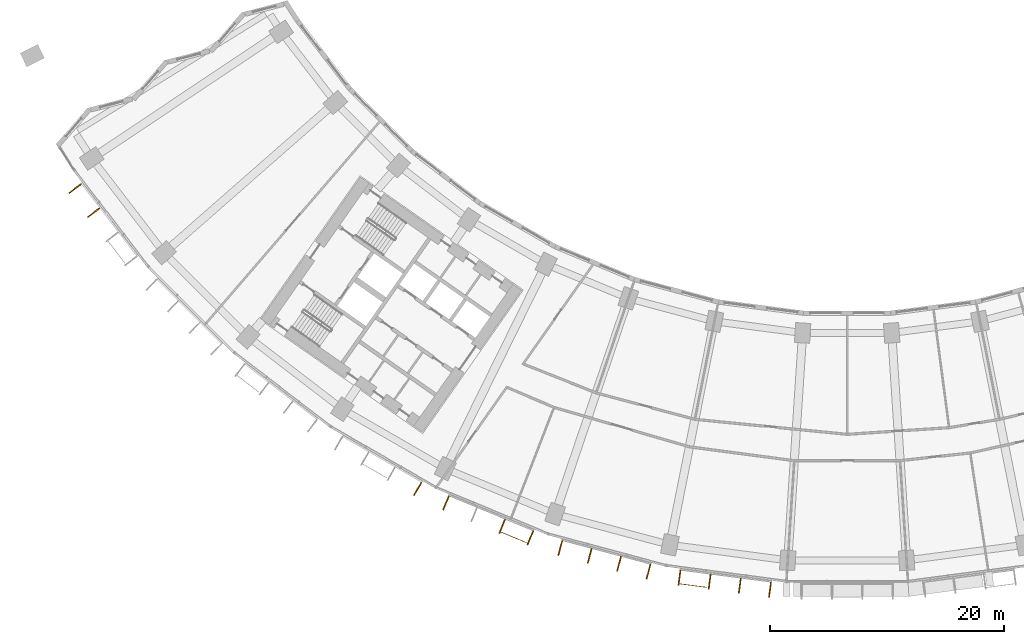
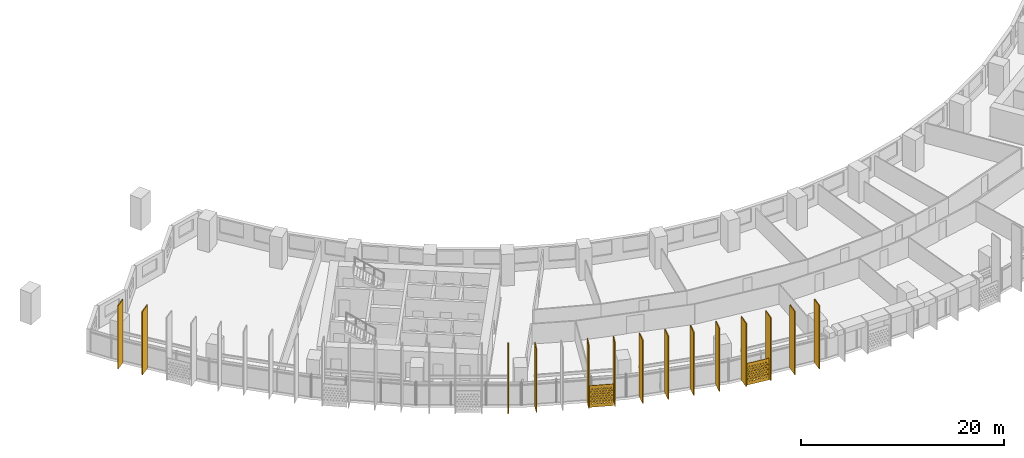
# One storey, part 27 of 32: 16 shading devices.
"""IFC4 building model written with IfcOpenShell, lengths in metres."""

from ifc_helpers import new_model, si_unit, direction, frame, origin, origin_2d, place, context, subcontext, project, spatial, polyline, rectangle, outline, extrude, material, material_profile, profile_set, type_object, element, save


model = new_model("IFC4")

# Units and contexts
model_context = context("Model", 3, precision=1e-05, world=origin(), true_north=direction((0.0, 1.0)))
body_context = subcontext(model_context, "Body", "Model", "MODEL_VIEW")
ifc_project = project(units=[si_unit("LENGTHUNIT", "METRE"), si_unit("AREAUNIT", "SQUARE_METRE"), si_unit("VOLUMEUNIT", "CUBIC_METRE"), si_unit("PLANEANGLEUNIT", "RADIAN"), si_unit("MASSUNIT", "GRAM", prefix="KILO")], contexts=[model_context])

# Site, building, storey
site_placement = place(None, origin())
site = spatial("IfcSite", under=ifc_project, at=site_placement, CompositionType="ELEMENT")
building_placement = place(site_placement, origin())
building = spatial("IfcBuilding", under=site, at=building_placement, Name="Qamariyya Broadcast Tower", CompositionType="ELEMENT")
storey_placement = place(building_placement, frame((0.0, 0.0, 63.300048828125)))
storey = spatial("IfcBuildingStorey", under=building, at=storey_placement, Name="L12", CompositionType="ELEMENT", Elevation=63.300048828125)

# Shading devices
ifc_material_1 = material(Name="Perforated glazed terracotta", Category="masonry")
ifc_material_profile_1 = material_profile(ifc_material_1, outline(polyline([(-1.199951171875, -1.300048828125), (1.199951171875, -1.300048828125), (1.199951171875, 1.300048828125), (-1.199951171875, 1.300048828125), (-1.199951171875, -1.300048828125)]), holes=[polyline([(-0.81494140625, -0.86669921875), (-0.89990234375, -0.78173828125), (-0.985107421875, -0.86669921875), (-0.89990234375, -0.95166015625), (-0.81494140625, -0.86669921875)]), polyline([(-0.514892578125, -0.86669921875), (-0.60009765625, -0.78173828125), (-0.68505859375, -0.86669921875), (-0.60009765625, -0.95166015625), (-0.514892578125, -0.86669921875)]), polyline([(-0.215087890625, -0.86669921875), (-0.300048828125, -0.78173828125), (-0.385009765625, -0.86669921875), (-0.300048828125, -0.95166015625), (-0.215087890625, -0.86669921875)]), polyline([(0.0849609375, -0.86669921875), (0.0, -0.78173828125), (-0.0849609375, -0.86669921875), (0.0, -0.95166015625), (0.0849609375, -0.86669921875)]), polyline([(0.385009765625, -0.86669921875), (0.300048828125, -0.78173828125), (0.215087890625, -0.86669921875), (0.300048828125, -0.95166015625), (0.385009765625, -0.86669921875)]), polyline([(0.68505859375, -0.86669921875), (0.60009765625, -0.78173828125), (0.514892578125, -0.86669921875), (0.60009765625, -0.95166015625), (0.68505859375, -0.86669921875)]), polyline([(0.985107421875, -0.86669921875), (0.89990234375, -0.78173828125), (0.81494140625, -0.86669921875), (0.89990234375, -0.95166015625), (0.985107421875, -0.86669921875)]), polyline([(-0.965087890625, -0.577880859375), (-1.050048828125, -0.49267578125), (-1.135009765625, -0.577880859375), (-1.050048828125, -0.662841796875), (-0.965087890625, -0.577880859375)]), polyline([(-0.6650390625, -0.577880859375), (-0.75, -0.49267578125), (-0.8349609375, -0.577880859375), (-0.75, -0.662841796875), (-0.6650390625, -0.577880859375)]), polyline([(-0.364990234375, -0.577880859375), (-0.449951171875, -0.49267578125), (-0.534912109375, -0.577880859375), (-0.449951171875, -0.662841796875), (-0.364990234375, -0.577880859375)]), polyline([(-0.06494140625, -0.577880859375), (-0.14990234375, -0.49267578125), (-0.235107421875, -0.577880859375), (-0.14990234375, -0.662841796875), (-0.06494140625, -0.577880859375)]), polyline([(0.235107421875, -0.577880859375), (0.14990234375, -0.49267578125), (0.06494140625, -0.577880859375), (0.14990234375, -0.662841796875), (0.235107421875, -0.577880859375)]), polyline([(0.534912109375, -0.577880859375), (0.449951171875, -0.49267578125), (0.364990234375, -0.577880859375), (0.449951171875, -0.662841796875), (0.534912109375, -0.577880859375)]), polyline([(0.8349609375, -0.577880859375), (0.75, -0.49267578125), (0.6650390625, -0.577880859375), (0.75, -0.662841796875), (0.8349609375, -0.577880859375)]), polyline([(1.135009765625, -0.577880859375), (1.050048828125, -0.49267578125), (0.965087890625, -0.577880859375), (1.050048828125, -0.662841796875), (1.135009765625, -0.577880859375)]), polyline([(-0.81494140625, -0.288818359375), (-0.89990234375, -0.203857421875), (-0.985107421875, -0.288818359375), (-0.89990234375, -0.373779296875), (-0.81494140625, -0.288818359375)]), polyline([(-0.514892578125, -0.288818359375), (-0.60009765625, -0.203857421875), (-0.68505859375, -0.288818359375), (-0.60009765625, -0.373779296875), (-0.514892578125, -0.288818359375)]), polyline([(-0.215087890625, -0.288818359375), (-0.300048828125, -0.203857421875), (-0.385009765625, -0.288818359375), (-0.300048828125, -0.373779296875), (-0.215087890625, -0.288818359375)]), polyline([(0.0849609375, -0.288818359375), (0.0, -0.203857421875), (-0.0849609375, -0.288818359375), (0.0, -0.373779296875), (0.0849609375, -0.288818359375)]), polyline([(0.385009765625, -0.288818359375), (0.300048828125, -0.203857421875), (0.215087890625, -0.288818359375), (0.300048828125, -0.373779296875), (0.385009765625, -0.288818359375)]), polyline([(0.68505859375, -0.288818359375), (0.60009765625, -0.203857421875), (0.514892578125, -0.288818359375), (0.60009765625, -0.373779296875), (0.68505859375, -0.288818359375)]), polyline([(0.985107421875, -0.288818359375), (0.89990234375, -0.203857421875), (0.81494140625, -0.288818359375), (0.89990234375, -0.373779296875), (0.985107421875, -0.288818359375)]), polyline([(-0.965087890625, 0.0), (-1.050048828125, 0.0849609375), (-1.135009765625, 0.0), (-1.050048828125, -0.0849609375), (-0.965087890625, 0.0)]), polyline([(-0.6650390625, 0.0), (-0.75, 0.0849609375), (-0.8349609375, 0.0), (-0.75, -0.0849609375), (-0.6650390625, 0.0)]), polyline([(-0.364990234375, 0.0), (-0.449951171875, 0.0849609375), (-0.534912109375, 0.0), (-0.449951171875, -0.0849609375), (-0.364990234375, 0.0)]), polyline([(-0.06494140625, 0.0), (-0.14990234375, 0.0849609375), (-0.235107421875, 0.0), (-0.14990234375, -0.0849609375), (-0.06494140625, 0.0)]), polyline([(0.235107421875, 0.0), (0.14990234375, 0.0849609375), (0.06494140625, 0.0), (0.14990234375, -0.0849609375), (0.235107421875, 0.0)]), polyline([(0.534912109375, 0.0), (0.449951171875, 0.0849609375), (0.364990234375, 0.0), (0.449951171875, -0.0849609375), (0.534912109375, 0.0)]), polyline([(0.8349609375, 0.0), (0.75, 0.0849609375), (0.6650390625, 0.0), (0.75, -0.0849609375), (0.8349609375, 0.0)]), polyline([(1.135009765625, 0.0), (1.050048828125, 0.0849609375), (0.965087890625, 0.0), (1.050048828125, -0.0849609375), (1.135009765625, 0.0)]), polyline([(-0.81494140625, 0.288818359375), (-0.89990234375, 0.373779296875), (-0.985107421875, 0.288818359375), (-0.89990234375, 0.203857421875), (-0.81494140625, 0.288818359375)]), polyline([(-0.514892578125, 0.288818359375), (-0.60009765625, 0.373779296875), (-0.68505859375, 0.288818359375), (-0.60009765625, 0.203857421875), (-0.514892578125, 0.288818359375)]), polyline([(-0.215087890625, 0.288818359375), (-0.300048828125, 0.373779296875), (-0.385009765625, 0.288818359375), (-0.300048828125, 0.203857421875), (-0.215087890625, 0.288818359375)]), polyline([(0.0849609375, 0.288818359375), (0.0, 0.373779296875), (-0.0849609375, 0.288818359375), (0.0, 0.203857421875), (0.0849609375, 0.288818359375)]), polyline([(0.385009765625, 0.288818359375), (0.300048828125, 0.373779296875), (0.215087890625, 0.288818359375), (0.300048828125, 0.203857421875), (0.385009765625, 0.288818359375)]), polyline([(0.68505859375, 0.288818359375), (0.60009765625, 0.373779296875), (0.514892578125, 0.288818359375), (0.60009765625, 0.203857421875), (0.68505859375, 0.288818359375)]), polyline([(0.985107421875, 0.288818359375), (0.89990234375, 0.373779296875), (0.81494140625, 0.288818359375), (0.89990234375, 0.203857421875), (0.985107421875, 0.288818359375)]), polyline([(-0.965087890625, 0.577880859375), (-1.050048828125, 0.662841796875), (-1.135009765625, 0.577880859375), (-1.050048828125, 0.49267578125), (-0.965087890625, 0.577880859375)]), polyline([(-0.6650390625, 0.577880859375), (-0.75, 0.662841796875), (-0.8349609375, 0.577880859375), (-0.75, 0.49267578125), (-0.6650390625, 0.577880859375)]), polyline([(-0.364990234375, 0.577880859375), (-0.449951171875, 0.662841796875), (-0.534912109375, 0.577880859375), (-0.449951171875, 0.49267578125), (-0.364990234375, 0.577880859375)]), polyline([(-0.06494140625, 0.577880859375), (-0.14990234375, 0.662841796875), (-0.235107421875, 0.577880859375), (-0.14990234375, 0.49267578125), (-0.06494140625, 0.577880859375)]), polyline([(0.235107421875, 0.577880859375), (0.14990234375, 0.662841796875), (0.06494140625, 0.577880859375), (0.14990234375, 0.49267578125), (0.235107421875, 0.577880859375)]), polyline([(0.534912109375, 0.577880859375), (0.449951171875, 0.662841796875), (0.364990234375, 0.577880859375), (0.449951171875, 0.49267578125), (0.534912109375, 0.577880859375)]), polyline([(0.8349609375, 0.577880859375), (0.75, 0.662841796875), (0.6650390625, 0.577880859375), (0.75, 0.49267578125), (0.8349609375, 0.577880859375)]), polyline([(1.135009765625, 0.577880859375), (1.050048828125, 0.662841796875), (0.965087890625, 0.577880859375), (1.050048828125, 0.49267578125), (1.135009765625, 0.577880859375)]), polyline([(-0.81494140625, 0.86669921875), (-0.89990234375, 0.95166015625), (-0.985107421875, 0.86669921875), (-0.89990234375, 0.78173828125), (-0.81494140625, 0.86669921875)]), polyline([(-0.514892578125, 0.86669921875), (-0.60009765625, 0.95166015625), (-0.68505859375, 0.86669921875), (-0.60009765625, 0.78173828125), (-0.514892578125, 0.86669921875)]), polyline([(-0.215087890625, 0.86669921875), (-0.300048828125, 0.95166015625), (-0.385009765625, 0.86669921875), (-0.300048828125, 0.78173828125), (-0.215087890625, 0.86669921875)]), polyline([(0.0849609375, 0.86669921875), (0.0, 0.95166015625), (-0.0849609375, 0.86669921875), (0.0, 0.78173828125), (0.0849609375, 0.86669921875)]), polyline([(0.385009765625, 0.86669921875), (0.300048828125, 0.95166015625), (0.215087890625, 0.86669921875), (0.300048828125, 0.78173828125), (0.385009765625, 0.86669921875)]), polyline([(0.68505859375, 0.86669921875), (0.60009765625, 0.95166015625), (0.514892578125, 0.86669921875), (0.60009765625, 0.78173828125), (0.68505859375, 0.86669921875)]), polyline([(0.985107421875, 0.86669921875), (0.89990234375, 0.95166015625), (0.81494140625, 0.86669921875), (0.89990234375, 0.78173828125), (0.985107421875, 0.86669921875)])]))
ifc_profile_set_1 = profile_set([ifc_material_profile_1], Name="Perforated glazed terracotta")
shading_device_type_1 = type_object("IfcShadingDeviceType", Name="Perforated terracotta screen 2400 x 2600", PredefinedType="USERDEFINED", material=ifc_profile_set_1)
shading_device_1_placement = place(storey_placement, frame((-28.54345703125, -75.57958984375, 1.349853515625), z_axis=(-0.382591441855, -0.923917630863, 0.0), x_axis=(0.923917630863, -0.382591441855, 0.0)))
element("IfcShadingDevice", 1, at=shading_device_1_placement, inside=storey, type_object=shading_device_type_1, Name="e-scr-L12-05-2", ObjectType="SCREEN", PredefinedType="USERDEFINED", context=body_context, shape_type="SweptSolid", body=[
    extrude(outline(polyline([(-1.199951171875, -1.300048828125), (1.199951171875, -1.300048828125), (1.199951171875, 1.300048828125), (-1.199951171875, 1.300048828125), (-1.199951171875, -1.300048828125)]), holes=[polyline([(-0.81494140625, -0.86669921875), (-0.89990234375, -0.78173828125), (-0.985107421875, -0.86669921875), (-0.89990234375, -0.95166015625), (-0.81494140625, -0.86669921875)]), polyline([(-0.514892578125, -0.86669921875), (-0.60009765625, -0.78173828125), (-0.68505859375, -0.86669921875), (-0.60009765625, -0.95166015625), (-0.514892578125, -0.86669921875)]), polyline([(-0.215087890625, -0.86669921875), (-0.300048828125, -0.78173828125), (-0.385009765625, -0.86669921875), (-0.300048828125, -0.95166015625), (-0.215087890625, -0.86669921875)]), polyline([(0.0849609375, -0.86669921875), (0.0, -0.78173828125), (-0.0849609375, -0.86669921875), (0.0, -0.95166015625), (0.0849609375, -0.86669921875)]), polyline([(0.385009765625, -0.86669921875), (0.300048828125, -0.78173828125), (0.215087890625, -0.86669921875), (0.300048828125, -0.95166015625), (0.385009765625, -0.86669921875)]), polyline([(0.68505859375, -0.86669921875), (0.60009765625, -0.78173828125), (0.514892578125, -0.86669921875), (0.60009765625, -0.95166015625), (0.68505859375, -0.86669921875)]), polyline([(0.985107421875, -0.86669921875), (0.89990234375, -0.78173828125), (0.81494140625, -0.86669921875), (0.89990234375, -0.95166015625), (0.985107421875, -0.86669921875)]), polyline([(-0.965087890625, -0.577880859375), (-1.050048828125, -0.49267578125), (-1.135009765625, -0.577880859375), (-1.050048828125, -0.662841796875), (-0.965087890625, -0.577880859375)]), polyline([(-0.6650390625, -0.577880859375), (-0.75, -0.49267578125), (-0.8349609375, -0.577880859375), (-0.75, -0.662841796875), (-0.6650390625, -0.577880859375)]), polyline([(-0.364990234375, -0.577880859375), (-0.449951171875, -0.49267578125), (-0.534912109375, -0.577880859375), (-0.449951171875, -0.662841796875), (-0.364990234375, -0.577880859375)]), polyline([(-0.06494140625, -0.577880859375), (-0.14990234375, -0.49267578125), (-0.235107421875, -0.577880859375), (-0.14990234375, -0.662841796875), (-0.06494140625, -0.577880859375)]), polyline([(0.235107421875, -0.577880859375), (0.14990234375, -0.49267578125), (0.06494140625, -0.577880859375), (0.14990234375, -0.662841796875), (0.235107421875, -0.577880859375)]), polyline([(0.534912109375, -0.577880859375), (0.449951171875, -0.49267578125), (0.364990234375, -0.577880859375), (0.449951171875, -0.662841796875), (0.534912109375, -0.577880859375)]), polyline([(0.8349609375, -0.577880859375), (0.75, -0.49267578125), (0.6650390625, -0.577880859375), (0.75, -0.662841796875), (0.8349609375, -0.577880859375)]), polyline([(1.135009765625, -0.577880859375), (1.050048828125, -0.49267578125), (0.965087890625, -0.577880859375), (1.050048828125, -0.662841796875), (1.135009765625, -0.577880859375)]), polyline([(-0.81494140625, -0.288818359375), (-0.89990234375, -0.203857421875), (-0.985107421875, -0.288818359375), (-0.89990234375, -0.373779296875), (-0.81494140625, -0.288818359375)]), polyline([(-0.514892578125, -0.288818359375), (-0.60009765625, -0.203857421875), (-0.68505859375, -0.288818359375), (-0.60009765625, -0.373779296875), (-0.514892578125, -0.288818359375)]), polyline([(-0.215087890625, -0.288818359375), (-0.300048828125, -0.203857421875), (-0.385009765625, -0.288818359375), (-0.300048828125, -0.373779296875), (-0.215087890625, -0.288818359375)]), polyline([(0.0849609375, -0.288818359375), (0.0, -0.203857421875), (-0.0849609375, -0.288818359375), (0.0, -0.373779296875), (0.0849609375, -0.288818359375)]), polyline([(0.385009765625, -0.288818359375), (0.300048828125, -0.203857421875), (0.215087890625, -0.288818359375), (0.300048828125, -0.373779296875), (0.385009765625, -0.288818359375)]), polyline([(0.68505859375, -0.288818359375), (0.60009765625, -0.203857421875), (0.514892578125, -0.288818359375), (0.60009765625, -0.373779296875), (0.68505859375, -0.288818359375)]), polyline([(0.985107421875, -0.288818359375), (0.89990234375, -0.203857421875), (0.81494140625, -0.288818359375), (0.89990234375, -0.373779296875), (0.985107421875, -0.288818359375)]), polyline([(-0.965087890625, 0.0), (-1.050048828125, 0.0849609375), (-1.135009765625, 0.0), (-1.050048828125, -0.0849609375), (-0.965087890625, 0.0)]), polyline([(-0.6650390625, 0.0), (-0.75, 0.0849609375), (-0.8349609375, 0.0), (-0.75, -0.0849609375), (-0.6650390625, 0.0)]), polyline([(-0.364990234375, 0.0), (-0.449951171875, 0.0849609375), (-0.534912109375, 0.0), (-0.449951171875, -0.0849609375), (-0.364990234375, 0.0)]), polyline([(-0.06494140625, 0.0), (-0.14990234375, 0.0849609375), (-0.235107421875, 0.0), (-0.14990234375, -0.0849609375), (-0.06494140625, 0.0)]), polyline([(0.235107421875, 0.0), (0.14990234375, 0.0849609375), (0.06494140625, 0.0), (0.14990234375, -0.0849609375), (0.235107421875, 0.0)]), polyline([(0.534912109375, 0.0), (0.449951171875, 0.0849609375), (0.364990234375, 0.0), (0.449951171875, -0.0849609375), (0.534912109375, 0.0)]), polyline([(0.8349609375, 0.0), (0.75, 0.0849609375), (0.6650390625, 0.0), (0.75, -0.0849609375), (0.8349609375, 0.0)]), polyline([(1.135009765625, 0.0), (1.050048828125, 0.0849609375), (0.965087890625, 0.0), (1.050048828125, -0.0849609375), (1.135009765625, 0.0)]), polyline([(-0.81494140625, 0.288818359375), (-0.89990234375, 0.373779296875), (-0.985107421875, 0.288818359375), (-0.89990234375, 0.203857421875), (-0.81494140625, 0.288818359375)]), polyline([(-0.514892578125, 0.288818359375), (-0.60009765625, 0.373779296875), (-0.68505859375, 0.288818359375), (-0.60009765625, 0.203857421875), (-0.514892578125, 0.288818359375)]), polyline([(-0.215087890625, 0.288818359375), (-0.300048828125, 0.373779296875), (-0.385009765625, 0.288818359375), (-0.300048828125, 0.203857421875), (-0.215087890625, 0.288818359375)]), polyline([(0.0849609375, 0.288818359375), (0.0, 0.373779296875), (-0.0849609375, 0.288818359375), (0.0, 0.203857421875), (0.0849609375, 0.288818359375)]), polyline([(0.385009765625, 0.288818359375), (0.300048828125, 0.373779296875), (0.215087890625, 0.288818359375), (0.300048828125, 0.203857421875), (0.385009765625, 0.288818359375)]), polyline([(0.68505859375, 0.288818359375), (0.60009765625, 0.373779296875), (0.514892578125, 0.288818359375), (0.60009765625, 0.203857421875), (0.68505859375, 0.288818359375)]), polyline([(0.985107421875, 0.288818359375), (0.89990234375, 0.373779296875), (0.81494140625, 0.288818359375), (0.89990234375, 0.203857421875), (0.985107421875, 0.288818359375)]), polyline([(-0.965087890625, 0.577880859375), (-1.050048828125, 0.662841796875), (-1.135009765625, 0.577880859375), (-1.050048828125, 0.49267578125), (-0.965087890625, 0.577880859375)]), polyline([(-0.6650390625, 0.577880859375), (-0.75, 0.662841796875), (-0.8349609375, 0.577880859375), (-0.75, 0.49267578125), (-0.6650390625, 0.577880859375)]), polyline([(-0.364990234375, 0.577880859375), (-0.449951171875, 0.662841796875), (-0.534912109375, 0.577880859375), (-0.449951171875, 0.49267578125), (-0.364990234375, 0.577880859375)]), polyline([(-0.06494140625, 0.577880859375), (-0.14990234375, 0.662841796875), (-0.235107421875, 0.577880859375), (-0.14990234375, 0.49267578125), (-0.06494140625, 0.577880859375)]), polyline([(0.235107421875, 0.577880859375), (0.14990234375, 0.662841796875), (0.06494140625, 0.577880859375), (0.14990234375, 0.49267578125), (0.235107421875, 0.577880859375)]), polyline([(0.534912109375, 0.577880859375), (0.449951171875, 0.662841796875), (0.364990234375, 0.577880859375), (0.449951171875, 0.49267578125), (0.534912109375, 0.577880859375)]), polyline([(0.8349609375, 0.577880859375), (0.75, 0.662841796875), (0.6650390625, 0.577880859375), (0.75, 0.49267578125), (0.8349609375, 0.577880859375)]), polyline([(1.135009765625, 0.577880859375), (1.050048828125, 0.662841796875), (0.965087890625, 0.577880859375), (1.050048828125, 0.49267578125), (1.135009765625, 0.577880859375)]), polyline([(-0.81494140625, 0.86669921875), (-0.89990234375, 0.95166015625), (-0.985107421875, 0.86669921875), (-0.89990234375, 0.78173828125), (-0.81494140625, 0.86669921875)]), polyline([(-0.514892578125, 0.86669921875), (-0.60009765625, 0.95166015625), (-0.68505859375, 0.86669921875), (-0.60009765625, 0.78173828125), (-0.514892578125, 0.86669921875)]), polyline([(-0.215087890625, 0.86669921875), (-0.300048828125, 0.95166015625), (-0.385009765625, 0.86669921875), (-0.300048828125, 0.78173828125), (-0.215087890625, 0.86669921875)]), polyline([(0.0849609375, 0.86669921875), (0.0, 0.95166015625), (-0.0849609375, 0.86669921875), (0.0, 0.78173828125), (0.0849609375, 0.86669921875)]), polyline([(0.385009765625, 0.86669921875), (0.300048828125, 0.95166015625), (0.215087890625, 0.86669921875), (0.300048828125, 0.78173828125), (0.385009765625, 0.86669921875)]), polyline([(0.68505859375, 0.86669921875), (0.60009765625, 0.95166015625), (0.514892578125, 0.86669921875), (0.60009765625, 0.78173828125), (0.68505859375, 0.86669921875)]), polyline([(0.985107421875, 0.86669921875), (0.89990234375, 0.95166015625), (0.81494140625, 0.86669921875), (0.89990234375, 0.78173828125), (0.985107421875, 0.86669921875)])]), origin(), (0.0, 0.0, 1.0), 0.06005859375),
])
shading_device_2_placement = place(storey_placement, frame((-13.17431640625, -79.7119140625, 1.349853515625), z_axis=(-0.13056005306, -0.991440402921, 0.0), x_axis=(0.991440402921, -0.13056005306, 0.0)))
element("IfcShadingDevice", 2, at=shading_device_2_placement, inside=storey, type_object=shading_device_type_1, Name="e-scr-L12-07-0", ObjectType="SCREEN", PredefinedType="USERDEFINED", context=body_context, shape_type="SweptSolid", body=[
    extrude(outline(polyline([(-1.199951171875, -1.300048828125), (1.199951171875, -1.300048828125), (1.199951171875, 1.300048828125), (-1.199951171875, 1.300048828125), (-1.199951171875, -1.300048828125)]), holes=[polyline([(-0.81494140625, -0.86669921875), (-0.89990234375, -0.78173828125), (-0.985107421875, -0.86669921875), (-0.89990234375, -0.95166015625), (-0.81494140625, -0.86669921875)]), polyline([(-0.514892578125, -0.86669921875), (-0.60009765625, -0.78173828125), (-0.68505859375, -0.86669921875), (-0.60009765625, -0.95166015625), (-0.514892578125, -0.86669921875)]), polyline([(-0.215087890625, -0.86669921875), (-0.300048828125, -0.78173828125), (-0.385009765625, -0.86669921875), (-0.300048828125, -0.95166015625), (-0.215087890625, -0.86669921875)]), polyline([(0.0849609375, -0.86669921875), (0.0, -0.78173828125), (-0.0849609375, -0.86669921875), (0.0, -0.95166015625), (0.0849609375, -0.86669921875)]), polyline([(0.385009765625, -0.86669921875), (0.300048828125, -0.78173828125), (0.215087890625, -0.86669921875), (0.300048828125, -0.95166015625), (0.385009765625, -0.86669921875)]), polyline([(0.68505859375, -0.86669921875), (0.60009765625, -0.78173828125), (0.514892578125, -0.86669921875), (0.60009765625, -0.95166015625), (0.68505859375, -0.86669921875)]), polyline([(0.985107421875, -0.86669921875), (0.89990234375, -0.78173828125), (0.81494140625, -0.86669921875), (0.89990234375, -0.95166015625), (0.985107421875, -0.86669921875)]), polyline([(-0.965087890625, -0.577880859375), (-1.050048828125, -0.49267578125), (-1.135009765625, -0.577880859375), (-1.050048828125, -0.662841796875), (-0.965087890625, -0.577880859375)]), polyline([(-0.6650390625, -0.577880859375), (-0.75, -0.49267578125), (-0.8349609375, -0.577880859375), (-0.75, -0.662841796875), (-0.6650390625, -0.577880859375)]), polyline([(-0.364990234375, -0.577880859375), (-0.449951171875, -0.49267578125), (-0.534912109375, -0.577880859375), (-0.449951171875, -0.662841796875), (-0.364990234375, -0.577880859375)]), polyline([(-0.06494140625, -0.577880859375), (-0.14990234375, -0.49267578125), (-0.235107421875, -0.577880859375), (-0.14990234375, -0.662841796875), (-0.06494140625, -0.577880859375)]), polyline([(0.235107421875, -0.577880859375), (0.14990234375, -0.49267578125), (0.06494140625, -0.577880859375), (0.14990234375, -0.662841796875), (0.235107421875, -0.577880859375)]), polyline([(0.534912109375, -0.577880859375), (0.449951171875, -0.49267578125), (0.364990234375, -0.577880859375), (0.449951171875, -0.662841796875), (0.534912109375, -0.577880859375)]), polyline([(0.8349609375, -0.577880859375), (0.75, -0.49267578125), (0.6650390625, -0.577880859375), (0.75, -0.662841796875), (0.8349609375, -0.577880859375)]), polyline([(1.135009765625, -0.577880859375), (1.050048828125, -0.49267578125), (0.965087890625, -0.577880859375), (1.050048828125, -0.662841796875), (1.135009765625, -0.577880859375)]), polyline([(-0.81494140625, -0.288818359375), (-0.89990234375, -0.203857421875), (-0.985107421875, -0.288818359375), (-0.89990234375, -0.373779296875), (-0.81494140625, -0.288818359375)]), polyline([(-0.514892578125, -0.288818359375), (-0.60009765625, -0.203857421875), (-0.68505859375, -0.288818359375), (-0.60009765625, -0.373779296875), (-0.514892578125, -0.288818359375)]), polyline([(-0.215087890625, -0.288818359375), (-0.300048828125, -0.203857421875), (-0.385009765625, -0.288818359375), (-0.300048828125, -0.373779296875), (-0.215087890625, -0.288818359375)]), polyline([(0.0849609375, -0.288818359375), (0.0, -0.203857421875), (-0.0849609375, -0.288818359375), (0.0, -0.373779296875), (0.0849609375, -0.288818359375)]), polyline([(0.385009765625, -0.288818359375), (0.300048828125, -0.203857421875), (0.215087890625, -0.288818359375), (0.300048828125, -0.373779296875), (0.385009765625, -0.288818359375)]), polyline([(0.68505859375, -0.288818359375), (0.60009765625, -0.203857421875), (0.514892578125, -0.288818359375), (0.60009765625, -0.373779296875), (0.68505859375, -0.288818359375)]), polyline([(0.985107421875, -0.288818359375), (0.89990234375, -0.203857421875), (0.81494140625, -0.288818359375), (0.89990234375, -0.373779296875), (0.985107421875, -0.288818359375)]), polyline([(-0.965087890625, 0.0), (-1.050048828125, 0.0849609375), (-1.135009765625, 0.0), (-1.050048828125, -0.0849609375), (-0.965087890625, 0.0)]), polyline([(-0.6650390625, 0.0), (-0.75, 0.0849609375), (-0.8349609375, 0.0), (-0.75, -0.0849609375), (-0.6650390625, 0.0)]), polyline([(-0.364990234375, 0.0), (-0.449951171875, 0.0849609375), (-0.534912109375, 0.0), (-0.449951171875, -0.0849609375), (-0.364990234375, 0.0)]), polyline([(-0.06494140625, 0.0), (-0.14990234375, 0.0849609375), (-0.235107421875, 0.0), (-0.14990234375, -0.0849609375), (-0.06494140625, 0.0)]), polyline([(0.235107421875, 0.0), (0.14990234375, 0.0849609375), (0.06494140625, 0.0), (0.14990234375, -0.0849609375), (0.235107421875, 0.0)]), polyline([(0.534912109375, 0.0), (0.449951171875, 0.0849609375), (0.364990234375, 0.0), (0.449951171875, -0.0849609375), (0.534912109375, 0.0)]), polyline([(0.8349609375, 0.0), (0.75, 0.0849609375), (0.6650390625, 0.0), (0.75, -0.0849609375), (0.8349609375, 0.0)]), polyline([(1.135009765625, 0.0), (1.050048828125, 0.0849609375), (0.965087890625, 0.0), (1.050048828125, -0.0849609375), (1.135009765625, 0.0)]), polyline([(-0.81494140625, 0.288818359375), (-0.89990234375, 0.373779296875), (-0.985107421875, 0.288818359375), (-0.89990234375, 0.203857421875), (-0.81494140625, 0.288818359375)]), polyline([(-0.514892578125, 0.288818359375), (-0.60009765625, 0.373779296875), (-0.68505859375, 0.288818359375), (-0.60009765625, 0.203857421875), (-0.514892578125, 0.288818359375)]), polyline([(-0.215087890625, 0.288818359375), (-0.300048828125, 0.373779296875), (-0.385009765625, 0.288818359375), (-0.300048828125, 0.203857421875), (-0.215087890625, 0.288818359375)]), polyline([(0.0849609375, 0.288818359375), (0.0, 0.373779296875), (-0.0849609375, 0.288818359375), (0.0, 0.203857421875), (0.0849609375, 0.288818359375)]), polyline([(0.385009765625, 0.288818359375), (0.300048828125, 0.373779296875), (0.215087890625, 0.288818359375), (0.300048828125, 0.203857421875), (0.385009765625, 0.288818359375)]), polyline([(0.68505859375, 0.288818359375), (0.60009765625, 0.373779296875), (0.514892578125, 0.288818359375), (0.60009765625, 0.203857421875), (0.68505859375, 0.288818359375)]), polyline([(0.985107421875, 0.288818359375), (0.89990234375, 0.373779296875), (0.81494140625, 0.288818359375), (0.89990234375, 0.203857421875), (0.985107421875, 0.288818359375)]), polyline([(-0.965087890625, 0.577880859375), (-1.050048828125, 0.662841796875), (-1.135009765625, 0.577880859375), (-1.050048828125, 0.49267578125), (-0.965087890625, 0.577880859375)]), polyline([(-0.6650390625, 0.577880859375), (-0.75, 0.662841796875), (-0.8349609375, 0.577880859375), (-0.75, 0.49267578125), (-0.6650390625, 0.577880859375)]), polyline([(-0.364990234375, 0.577880859375), (-0.449951171875, 0.662841796875), (-0.534912109375, 0.577880859375), (-0.449951171875, 0.49267578125), (-0.364990234375, 0.577880859375)]), polyline([(-0.06494140625, 0.577880859375), (-0.14990234375, 0.662841796875), (-0.235107421875, 0.577880859375), (-0.14990234375, 0.49267578125), (-0.06494140625, 0.577880859375)]), polyline([(0.235107421875, 0.577880859375), (0.14990234375, 0.662841796875), (0.06494140625, 0.577880859375), (0.14990234375, 0.49267578125), (0.235107421875, 0.577880859375)]), polyline([(0.534912109375, 0.577880859375), (0.449951171875, 0.662841796875), (0.364990234375, 0.577880859375), (0.449951171875, 0.49267578125), (0.534912109375, 0.577880859375)]), polyline([(0.8349609375, 0.577880859375), (0.75, 0.662841796875), (0.6650390625, 0.577880859375), (0.75, 0.49267578125), (0.8349609375, 0.577880859375)]), polyline([(1.135009765625, 0.577880859375), (1.050048828125, 0.662841796875), (0.965087890625, 0.577880859375), (1.050048828125, 0.49267578125), (1.135009765625, 0.577880859375)]), polyline([(-0.81494140625, 0.86669921875), (-0.89990234375, 0.95166015625), (-0.985107421875, 0.86669921875), (-0.89990234375, 0.78173828125), (-0.81494140625, 0.86669921875)]), polyline([(-0.514892578125, 0.86669921875), (-0.60009765625, 0.95166015625), (-0.68505859375, 0.86669921875), (-0.60009765625, 0.78173828125), (-0.514892578125, 0.86669921875)]), polyline([(-0.215087890625, 0.86669921875), (-0.300048828125, 0.95166015625), (-0.385009765625, 0.86669921875), (-0.300048828125, 0.78173828125), (-0.215087890625, 0.86669921875)]), polyline([(0.0849609375, 0.86669921875), (0.0, 0.95166015625), (-0.0849609375, 0.86669921875), (0.0, 0.78173828125), (0.0849609375, 0.86669921875)]), polyline([(0.385009765625, 0.86669921875), (0.300048828125, 0.95166015625), (0.215087890625, 0.86669921875), (0.300048828125, 0.78173828125), (0.385009765625, 0.86669921875)]), polyline([(0.68505859375, 0.86669921875), (0.60009765625, 0.95166015625), (0.514892578125, 0.86669921875), (0.60009765625, 0.78173828125), (0.68505859375, 0.86669921875)]), polyline([(0.985107421875, 0.86669921875), (0.89990234375, 0.95166015625), (0.81494140625, 0.86669921875), (0.89990234375, 0.78173828125), (0.985107421875, 0.86669921875)])]), origin(), (0.0, 0.0, 1.0), 0.059814453125),
])
ifc_material_2 = material(Name="Glazed terracotta", Category="masonry")
ifc_material_profile_2 = material_profile(ifc_material_2, rectangle(XDim=1.300048828125, YDim=0.10009765625, at=origin_2d()))
ifc_profile_set_2 = profile_set([ifc_material_profile_2], Name="Glazed terracotta")
shading_device_type_2 = type_object("IfcShadingDeviceType", Name="Terracotta fin 100 x 1300", PredefinedType="USERDEFINED", material=ifc_profile_set_2)
for number, where, z_axis, x_axis, name in (
    (3, (-66.068359375, -45.771484375, 0.0), (0.0, 0.0, 1.0), (-0.793353340291, -0.608761429009, 0.0), "e-fin-L12-01-0"),
    (4, (-64.48291015625, -47.837890625, 0.0), (0.0, 0.0, 1.0), (-0.793353340291, -0.608761429009, 0.0), "e-fin-L12-01-1"),
    (5, (-36.756103515625, -71.4775390625, 0.0), (0.0, 0.0, 1.0), (-0.5, -0.866025403784, 0.0), "e-fin-L12-04-3"),
    (6, (-34.331298828125, -72.67333984375, 0.0), (0.0, 0.0, 1.0), (-0.382683432365, -0.923879532511, 0.0), "e-fin-L12-05-0"),
    (7, (-29.518310546875, -74.6669921875, 0.0), (0.0, 0.0, 1.0), (-0.382683432365, -0.923879532511, 0.0), "e-fin-L12-05-2"),
    (8, (-27.112060546875, -75.663818359375, 0.0), (0.0, 0.0, 1.0), (-0.382683432365, -0.923879532511, 0.0), "e-fin-L12-05-3"),
    (9, (-24.5517578125, -76.53271484375, 0.0), (0.0, 0.0, 1.0), (-0.258819045103, -0.965925826289, 0.0), "e-fin-L12-06-0"),
    (10, (-22.035888671875, -77.20703125, 0.0), (0.0, 0.0, 1.0), (-0.258819045103, -0.965925826289, 0.0), "e-fin-L12-06-1"),
    (11, (-19.519775390625, -77.881103515625, 0.0), (0.0, 0.0, 1.0), (-0.258819045103, -0.965925826289, 0.0), "e-fin-L12-06-2"),
    (12, (-17.00390625, -78.55517578125, 0.0), (0.0, 0.0, 1.0), (-0.258819045103, -0.965925826289, 0.0), "e-fin-L12-06-3"),
    (13, (-14.35205078125, -79.082763671875, 0.0), (0.0, 0.0, 1.0), (-0.13052619222, -0.991444861374, 0.0), "e-fin-L12-07-0"),
    (14, (-11.769775390625, -79.422607421875, 0.0), (0.0, 0.0, 1.0), (-0.13052619222, -0.991444861374, 0.0), "e-fin-L12-07-1"),
    (15, (-9.187255859375, -79.7626953125, 0.0), (0.0, 0.0, 1.0), (-0.13052619222, -0.991444861374, 0.0), "e-fin-L12-07-2"),
    (16, (-6.60498046875, -80.1025390625, 0.0), (0.0, 0.0, 1.0), (-0.13052619222, -0.991444861374, 0.0), "e-fin-L12-07-3"),
):
    element("IfcShadingDevice", number, at=place(storey_placement, frame(where, z_axis=z_axis, x_axis=x_axis)), inside=storey, type_object=shading_device_type_2, Name=name, ObjectType="FIN", PredefinedType="USERDEFINED", context=body_context, shape_type="SweptSolid", body=[
        extrude(rectangle(XDim=1.300048828125, YDim=0.10009765625, at=origin_2d()), origin(), (0.0, 0.0, 1.0), 7.599853515625),
    ])

save(model, "model.ifc")
